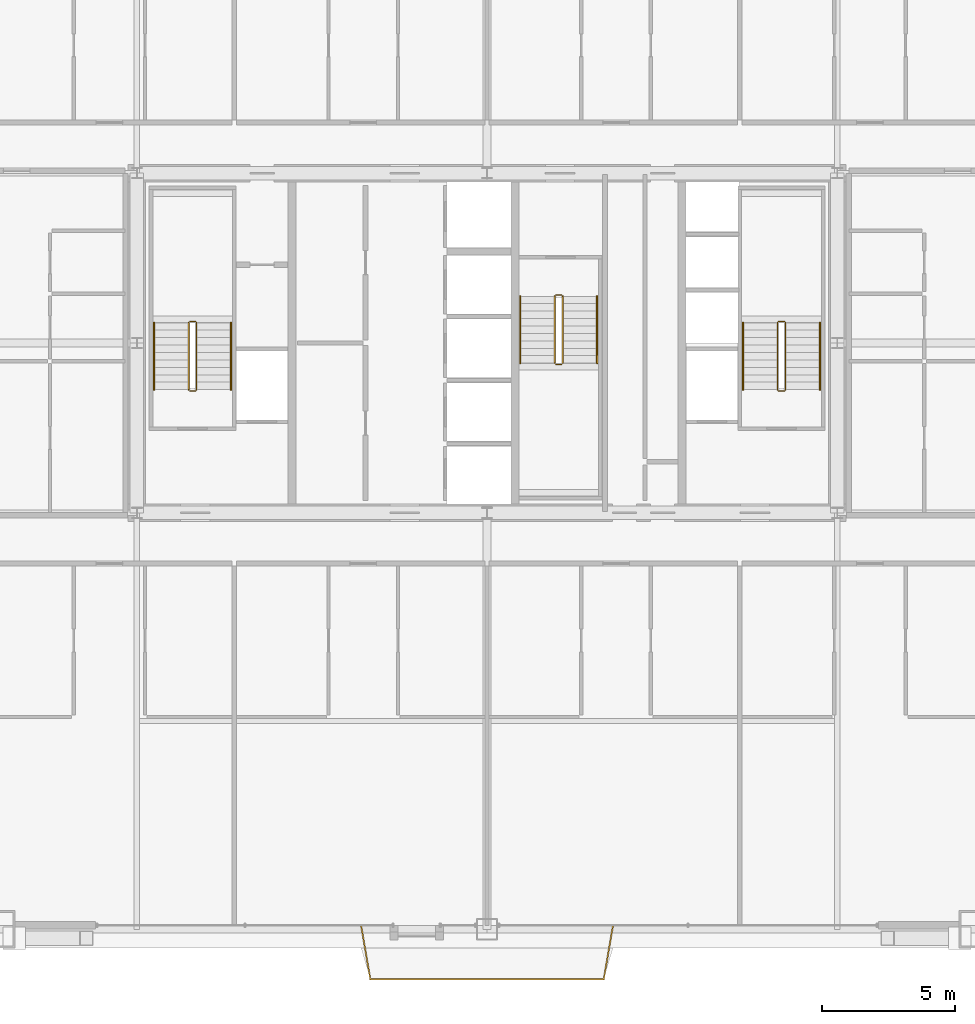
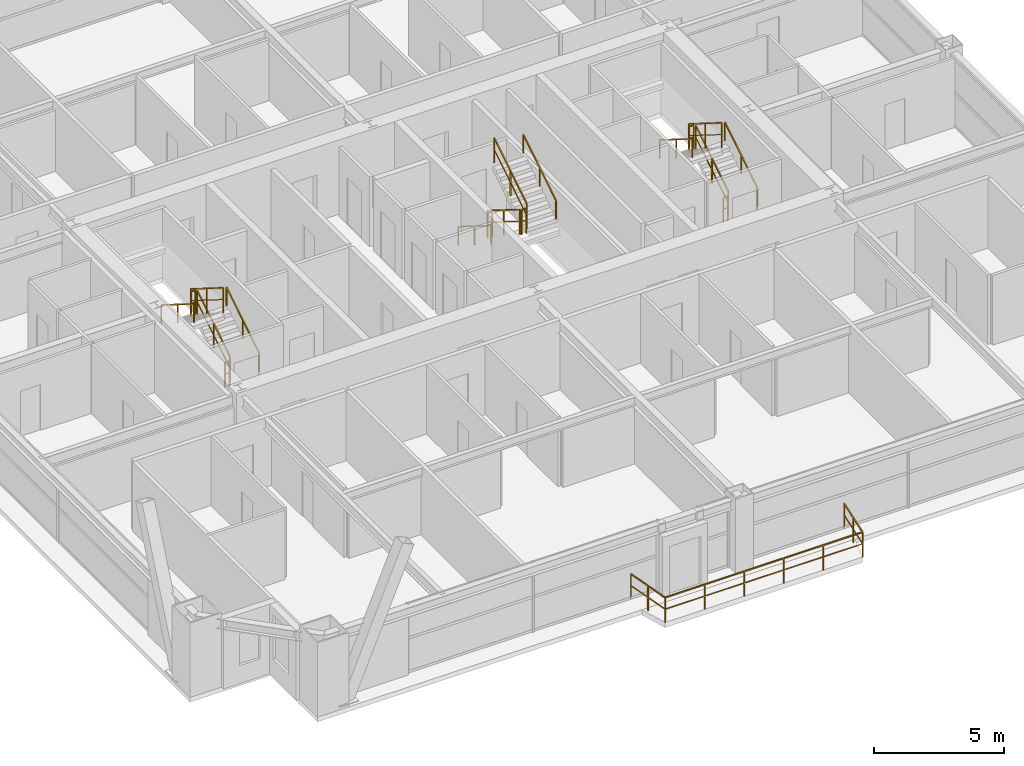
# One storey, part 42 of 42: 19 railings.
"""IFC4 building model written with IfcOpenShell, lengths in metres."""

from ifc_helpers import new_model, si_unit, direction, frame, origin, origin_2d, place, context, subcontext, project, spatial, rectangle, extrude, source, transform, mapped, material, layer, layer_set, type_object, element, save


model = new_model("IFC4")

# Units and contexts
model_context = context("Model", 3, precision=1e-05, world=origin(), true_north=direction((0.0, 1.0)))
body_context = subcontext(model_context, "Body", "Model", "MODEL_VIEW")
ifc_project = project(units=[si_unit("LENGTHUNIT", "METRE"), si_unit("AREAUNIT", "SQUARE_METRE"), si_unit("VOLUMEUNIT", "CUBIC_METRE"), si_unit("PLANEANGLEUNIT", "RADIAN"), si_unit("MASSUNIT", "GRAM", prefix="KILO"), si_unit("THERMODYNAMICTEMPERATUREUNIT", "KELVIN"), si_unit("POWERUNIT", "WATT")], contexts=[model_context])

# Site, building, storey
site_placement = place(None, origin())
site = spatial("IfcSite", under=ifc_project, at=site_placement, CompositionType="ELEMENT")
building_placement = place(site_placement, origin())
building = spatial("IfcBuilding", under=site, at=building_placement, Name="Yuzanri Waterfront Tower", CompositionType="ELEMENT")
storey_placement = place(building_placement, frame((0.0, 0.0, 184.5)))
storey = spatial("IfcBuildingStorey", under=building, at=storey_placement, Name="L48", CompositionType="ELEMENT", Elevation=184.5)

# Railings
ifc_material_1 = material(Name="Anodized Architectural Bronze", Category="metal")
ifc_layer_1 = layer(ifc_material_1, 0.080078125)
ifc_layer_set_1 = layer_set([ifc_layer_1], Name="Anodized Architectural Bronze")
railing_type_1 = type_object("IfcRailingType", Name="Laminated Glass and Bronze Balcony Guardrail 1200", PredefinedType="BALUSTRADE", material=ifc_layer_set_1)
shared_shape_1 = source(origin(), body_context, "Body", "SweptSolid", [
    extrude(rectangle(XDim=0.050048828125, YDim=0.050048828125, at=origin_2d()), frame((0.0, 0.0, 1.1748046875), z_axis=(0.169298043467, -0.985564900186, 0.0), x_axis=(0.985564900186, 0.169298043467, 0.0)), (0.0, 0.0, 1.0), 2.06787109375),
    extrude(rectangle(XDim=0.035888671875, YDim=0.030029296875, at=origin_2d()), frame((0.0, 0.0, 0.6240234375), z_axis=(0.169298043467, -0.985564900186, 0.0), x_axis=(0.985564900186, 0.169298043467, 0.0)), (0.0, 0.0, 1.0), 2.06787109375),
    extrude(rectangle(XDim=0.050048828125, YDim=0.050048828125, at=origin_2d()), frame((0.35009765625, -2.0380859375, 1.1748046875), z_axis=(1.0, 0.0, 0.0), x_axis=(0.0, 1.0, 0.0)), (0.0, 0.0, 1.0), 8.7978515625),
    extrude(rectangle(XDim=0.035888671875, YDim=0.030029296875, at=origin_2d()), frame((0.35009765625, -2.0380859375, 0.6240234375), z_axis=(1.0, 0.0, 0.0), x_axis=(0.0, 1.0, 0.0)), (0.0, 0.0, 1.0), 8.7978515625),
    extrude(rectangle(XDim=0.050048828125, YDim=0.050048828125, at=origin_2d()), frame((9.14794921875, -2.0380859375, 1.1748046875), z_axis=(0.169298043467, 0.985564900186, 0.0), x_axis=(-0.985564900186, 0.169298043467, 0.0)), (0.0, 0.0, 1.0), 2.06787109375),
    extrude(rectangle(XDim=0.035888671875, YDim=0.030029296875, at=origin_2d()), frame((9.14794921875, -2.0380859375, 0.6240234375), z_axis=(0.169298043467, 0.985564900186, 0.0), x_axis=(-0.985564900186, 0.169298043467, 0.0)), (0.0, 0.0, 1.0), 2.06787109375),
    extrude(rectangle(XDim=0.0458984375, YDim=0.0458984375, at=origin_2d()), origin(), (0.0, 0.0, 1.0), 1.14990234375),
    extrude(rectangle(XDim=0.0458984375, YDim=0.0458984375, at=origin_2d()), frame((0.175048828125, -1.01904296875, 0.0)), (0.0, 0.0, 1.0), 1.14990234375),
    extrude(rectangle(XDim=0.0458984375, YDim=0.0458984375, at=origin_2d()), frame((0.35009765625, -2.0380859375, 0.0)), (0.0, 0.0, 1.0), 1.14990234375),
    extrude(rectangle(XDim=0.0458984375, YDim=0.0458984375, at=origin_2d()), frame((2.109619140625, -2.0380859375, 0.0)), (0.0, 0.0, 1.0), 1.14990234375),
    extrude(rectangle(XDim=0.0458984375, YDim=0.0458984375, at=origin_2d()), frame((3.869140625, -2.0380859375, 0.0)), (0.0, 0.0, 1.0), 1.14990234375),
    extrude(rectangle(XDim=0.0458984375, YDim=0.0458984375, at=origin_2d()), frame((5.62890625, -2.0380859375, 0.0)), (0.0, 0.0, 1.0), 1.14990234375),
    extrude(rectangle(XDim=0.0458984375, YDim=0.0458984375, at=origin_2d()), frame((7.388427734375, -2.0380859375, 0.0)), (0.0, 0.0, 1.0), 1.14990234375),
    extrude(rectangle(XDim=0.0458984375, YDim=0.0458984375, at=origin_2d()), frame((9.14794921875, -2.0380859375, 0.0)), (0.0, 0.0, 1.0), 1.14990234375),
    extrude(rectangle(XDim=0.0458984375, YDim=0.0458984375, at=origin_2d()), frame((9.322998046875, -1.01904296875, 0.0)), (0.0, 0.0, 1.0), 1.14990234375),
    extrude(rectangle(XDim=0.0458984375, YDim=0.0458984375, at=origin_2d()), frame((9.498046875, 0.0, 0.0)), (0.0, 0.0, 1.0), 1.14990234375),
])
railing_placement = place(storey_placement, frame((32.2509765625, 3.85009765625, 0.0)))
element("IfcRailing", 1, at=railing_placement, inside=storey, type_object=railing_type_1, Name="L48 S Engawa Terrace Guardrail", PredefinedType="BALUSTRADE", context=body_context, shape_type="MappedRepresentation", body=[
    mapped(shared_shape_1, transform((0.0, 0.0, 0.0), scale=1.0)),
])
ifc_material_2 = material(Name="Painted Galvanized Fire Steel", Category="steel")
ifc_layer_2 = layer(ifc_material_2, 0.06005859375)
ifc_layer_set_2 = layer_set([ifc_layer_2], Name="Painted Galvanized Fire Steel")
railing_type_2 = type_object("IfcRailingType", Name="Painted Steel Stairwell Guardrail 1120", PredefinedType="GUARDRAIL", material=ifc_layer_set_2)
shared_shape_2 = source(origin(), body_context, "Body", "SweptSolid", [
    extrude(rectangle(XDim=0.050048828125, YDim=0.050048828125, at=origin_2d()), frame((0.0, 0.0, 1.1748046875), z_axis=(-1.0, 0.0, 0.0), x_axis=(0.0, -1.0, 0.0)), (0.0, 0.0, 1.0), 0.199951171875),
    extrude(rectangle(XDim=0.035888671875, YDim=0.030029296875, at=origin_2d()), frame((0.0, 0.0, 0.6240234375), z_axis=(-1.0, 0.0, 0.0), x_axis=(0.0, -1.0, 0.0)), (0.0, 0.0, 1.0), 0.199951171875),
    extrude(rectangle(XDim=0.0458984375, YDim=0.0458984375, at=origin_2d()), origin(), (0.0, 0.0, 1.0), 1.14990234375),
    extrude(rectangle(XDim=0.0458984375, YDim=0.0458984375, at=origin_2d()), frame((-0.199951171875, 0.0, 0.0)), (0.0, 0.0, 1.0), 1.14990234375),
])
for number, where, name in (
    (2, (26.0, 26.610107421875, 1.75), "L48 ST-01 stair guard 2"),
    (3, (26.0, 23.989990234375, 0.0), "L48 ST-01 stair guard 4"),
    (4, (48.199951171875, 26.610107421875, 1.75), "L48 ST-02 stair guard 2"),
    (5, (48.199951171875, 23.989990234375, 0.0), "L48 ST-02 stair guard 4"),
):
    element("IfcRailing", number, at=place(storey_placement, frame(where)), inside=storey, type_object=railing_type_2, Name=name, PredefinedType="GUARDRAIL", context=body_context, shape_type="MappedRepresentation", body=[
        mapped(shared_shape_2, transform((0.0, 0.0, 0.0), scale=1.0)),
    ])
shared_shape_3 = source(origin(), body_context, "Body", "SweptSolid", [
    extrude(rectangle(XDim=0.050048828125, YDim=0.050048828125, at=origin_2d()), frame((0.0, 0.0, 1.1748046875), z_axis=(0.0, 0.848007534815, 0.529984170421), x_axis=(-1.0, 0.0, 0.0)), (0.0, 0.0, 1.0), 2.9716796875),
    extrude(rectangle(XDim=0.035888671875, YDim=0.030029296875, at=origin_2d()), frame((0.0, 0.0, 0.6240234375), z_axis=(0.0, 0.848007534815, 0.529984170421), x_axis=(-1.0, 0.0, 0.0)), (0.0, 0.0, 1.0), 2.9716796875),
    extrude(rectangle(XDim=0.0458984375, YDim=0.0458984375, at=origin_2d()), origin(), (0.0, 0.0, 1.0), 1.14990234375),
    extrude(rectangle(XDim=0.0458984375, YDim=0.0458984375, at=origin_2d()), frame((0.0, 1.260009765625, 0.78759765625)), (0.0, 0.0, 1.0), 1.14990234375),
    extrude(rectangle(XDim=0.0458984375, YDim=0.0458984375, at=origin_2d()), frame((0.0, 2.52001953125, 1.574951171875)), (0.0, 0.0, 1.0), 1.14990234375),
])
for number, where, name in (
    (6, (26.050048828125, 24.0400390625, 0.175048828125), "L48 ST-01 stair guard 1"),
    (7, (48.25, 24.0400390625, 0.175048828125), "L48 ST-02 stair guard 1"),
    (8, (39.85009765625, 25.0400390625, 1.925048828125), "L48 ST-03 stair guard 3"),
):
    element("IfcRailing", number, at=place(storey_placement, frame(where)), inside=storey, type_object=railing_type_2, Name=name, PredefinedType="GUARDRAIL", context=body_context, shape_type="MappedRepresentation", body=[
        mapped(shared_shape_3, transform((0.0, 0.0, 0.0), scale=1.0)),
    ])
shared_shape_4 = source(origin(), body_context, "Body", "SweptSolid", [
    extrude(rectangle(XDim=0.050048828125, YDim=0.050048828125, at=origin_2d()), frame((0.0, 0.0, 1.1748046875), z_axis=(0.0, -0.848007534815, 0.529984170421), x_axis=(1.0, 0.0, 0.0)), (0.0, 0.0, 1.0), 2.9716796875),
    extrude(rectangle(XDim=0.035888671875, YDim=0.030029296875, at=origin_2d()), frame((0.0, 0.0, 0.6240234375), z_axis=(0.0, -0.848007534815, 0.529984170421), x_axis=(1.0, 0.0, 0.0)), (0.0, 0.0, 1.0), 2.9716796875),
    extrude(rectangle(XDim=0.0458984375, YDim=0.0458984375, at=origin_2d()), origin(), (0.0, 0.0, 1.0), 1.14990234375),
    extrude(rectangle(XDim=0.0458984375, YDim=0.0458984375, at=origin_2d()), frame((0.0, -1.260009765625, 0.78759765625)), (0.0, 0.0, 1.0), 1.14990234375),
    extrude(rectangle(XDim=0.0458984375, YDim=0.0458984375, at=origin_2d()), frame((0.0, -2.52001953125, 1.574951171875)), (0.0, 0.0, 1.0), 1.14990234375),
])
for number, where, name in (
    (9, (25.75, 26.56005859375, 1.925048828125), "L48 ST-01 stair guard 3"),
    (10, (47.949951171875, 26.56005859375, 1.925048828125), "L48 ST-02 stair guard 3"),
    (11, (39.550048828125, 27.56005859375, 0.175048828125), "L48 ST-03 stair guard 1"),
):
    element("IfcRailing", number, at=place(storey_placement, frame(where)), inside=storey, type_object=railing_type_2, Name=name, PredefinedType="GUARDRAIL", context=body_context, shape_type="MappedRepresentation", body=[
        mapped(shared_shape_4, transform((0.0, 0.0, 0.0), scale=1.0)),
    ])
ifc_material_3 = material(Name="Anodized Architectural Bronze", Category="metal")
ifc_layer_3 = layer(ifc_material_3, 0.050048828125)
ifc_layer_set_3 = layer_set([ifc_layer_3], Name="Anodized Architectural Bronze")
railing_type_3 = type_object("IfcRailingType", Name="Brushed Bronze Stair Pitch Handrail 920", PredefinedType="HANDRAIL", material=ifc_layer_set_3)
shared_shape_5 = source(origin(), body_context, "Body", "SweptSolid", [
    extrude(rectangle(XDim=0.050048828125, YDim=0.050048828125, at=origin_2d()), frame((0.0, 0.0, 0.875), z_axis=(0.0, 0.848007534815, 0.529984170421), x_axis=(-1.0, 0.0, 0.0)), (0.0, 0.0, 1.0), 2.9716796875),
    extrude(rectangle(XDim=0.0458984375, YDim=0.0458984375, at=origin_2d()), origin(), (0.0, 0.0, 1.0), 0.849853515625),
    extrude(rectangle(XDim=0.0458984375, YDim=0.0458984375, at=origin_2d()), frame((0.0, 1.260009765625, 0.78759765625)), (0.0, 0.0, 1.0), 0.849853515625),
    extrude(rectangle(XDim=0.0458984375, YDim=0.0458984375, at=origin_2d()), frame((0.0, 2.52001953125, 1.574951171875)), (0.0, 0.0, 1.0), 0.849853515625),
])
for number, where, name in (
    (12, (27.35009765625, 24.0400390625, 0.175048828125), "L48 ST-01 stair handrail 1"),
    (13, (49.550048828125, 24.0400390625, 0.175048828125), "L48 ST-02 stair handrail 1"),
    (14, (41.14990234375, 25.0400390625, 1.925048828125), "L48 ST-03 stair handrail 2"),
):
    element("IfcRailing", number, at=place(storey_placement, frame(where)), inside=storey, type_object=railing_type_3, Name=name, PredefinedType="HANDRAIL", context=body_context, shape_type="MappedRepresentation", body=[
        mapped(shared_shape_5, transform((0.0, 0.0, 0.0), scale=1.0)),
    ])
shared_shape_6 = source(origin(), body_context, "Body", "SweptSolid", [
    extrude(rectangle(XDim=0.050048828125, YDim=0.050048828125, at=origin_2d()), frame((0.0, 0.0, 0.875), z_axis=(0.0, -0.848007534815, 0.529984170421), x_axis=(1.0, 0.0, 0.0)), (0.0, 0.0, 1.0), 2.9716796875),
    extrude(rectangle(XDim=0.0458984375, YDim=0.0458984375, at=origin_2d()), origin(), (0.0, 0.0, 1.0), 0.849853515625),
    extrude(rectangle(XDim=0.0458984375, YDim=0.0458984375, at=origin_2d()), frame((0.0, -1.260009765625, 0.78759765625)), (0.0, 0.0, 1.0), 0.849853515625),
    extrude(rectangle(XDim=0.0458984375, YDim=0.0458984375, at=origin_2d()), frame((0.0, -2.52001953125, 1.574951171875)), (0.0, 0.0, 1.0), 0.849853515625),
])
for number, where, name in (
    (15, (24.449951171875, 26.56005859375, 1.925048828125), "L48 ST-01 stair handrail 2"),
    (16, (46.64990234375, 26.56005859375, 1.925048828125), "L48 ST-02 stair handrail 2"),
    (17, (38.25, 27.56005859375, 0.175048828125), "L48 ST-03 stair handrail 1"),
):
    element("IfcRailing", number, at=place(storey_placement, frame(where)), inside=storey, type_object=railing_type_3, Name=name, PredefinedType="HANDRAIL", context=body_context, shape_type="MappedRepresentation", body=[
        mapped(shared_shape_6, transform((0.0, 0.0, 0.0), scale=1.0)),
    ])
shared_shape_7 = source(origin(), body_context, "Body", "SweptSolid", [
    extrude(rectangle(XDim=0.050048828125, YDim=0.050048828125, at=origin_2d()), frame((0.0, 0.0, 1.1748046875), z_axis=(1.0, 0.0, 0.0), x_axis=(0.0, 1.0, 0.0)), (0.0, 0.0, 1.0), 0.199951171875),
    extrude(rectangle(XDim=0.035888671875, YDim=0.030029296875, at=origin_2d()), frame((0.0, 0.0, 0.6240234375), z_axis=(1.0, 0.0, 0.0), x_axis=(0.0, 1.0, 0.0)), (0.0, 0.0, 1.0), 0.199951171875),
    extrude(rectangle(XDim=0.0458984375, YDim=0.0458984375, at=origin_2d()), origin(), (0.0, 0.0, 1.0), 1.14990234375),
    extrude(rectangle(XDim=0.0458984375, YDim=0.0458984375, at=origin_2d()), frame((0.199951171875, 0.0, 0.0)), (0.0, 0.0, 1.0), 1.14990234375),
])
for number, where, name in (
    (18, (39.60009765625, 24.989990234375, 1.75), "L48 ST-03 stair guard 2"),
    (19, (39.60009765625, 27.610107421875, 0.0), "L48 ST-03 stair guard 4"),
):
    element("IfcRailing", number, at=place(storey_placement, frame(where)), inside=storey, type_object=railing_type_2, Name=name, PredefinedType="GUARDRAIL", context=body_context, shape_type="MappedRepresentation", body=[
        mapped(shared_shape_7, transform((0.0, 0.0, 0.0), scale=1.0)),
    ])

save(model, "model.ifc")
